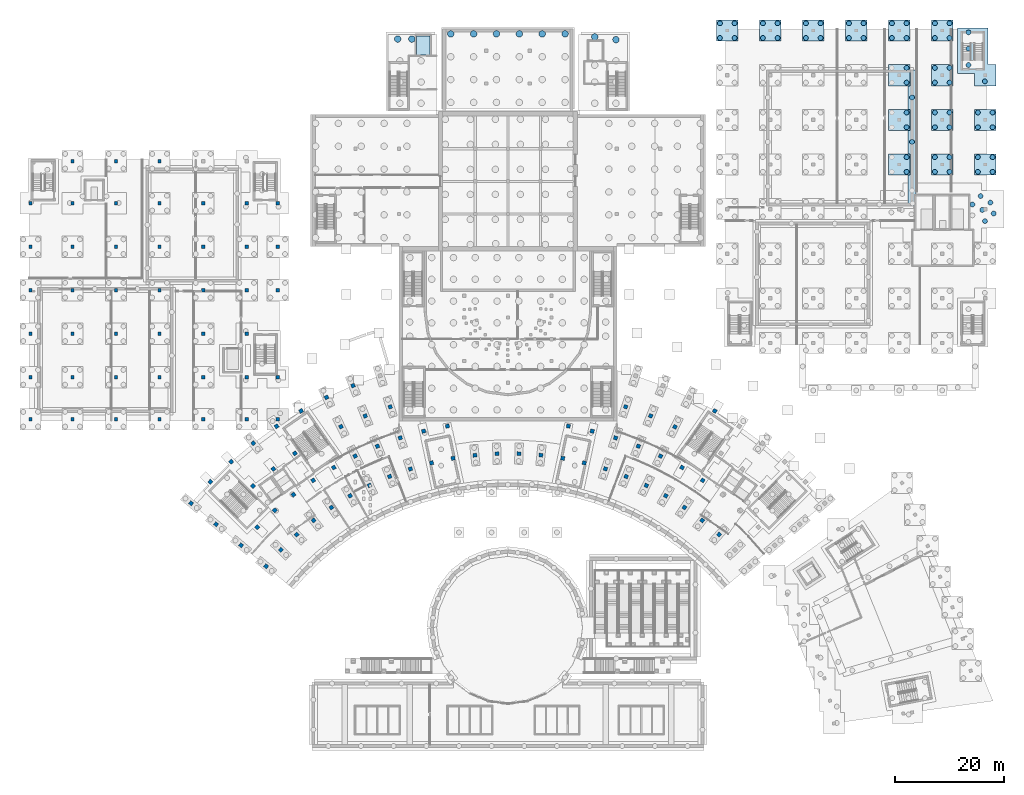
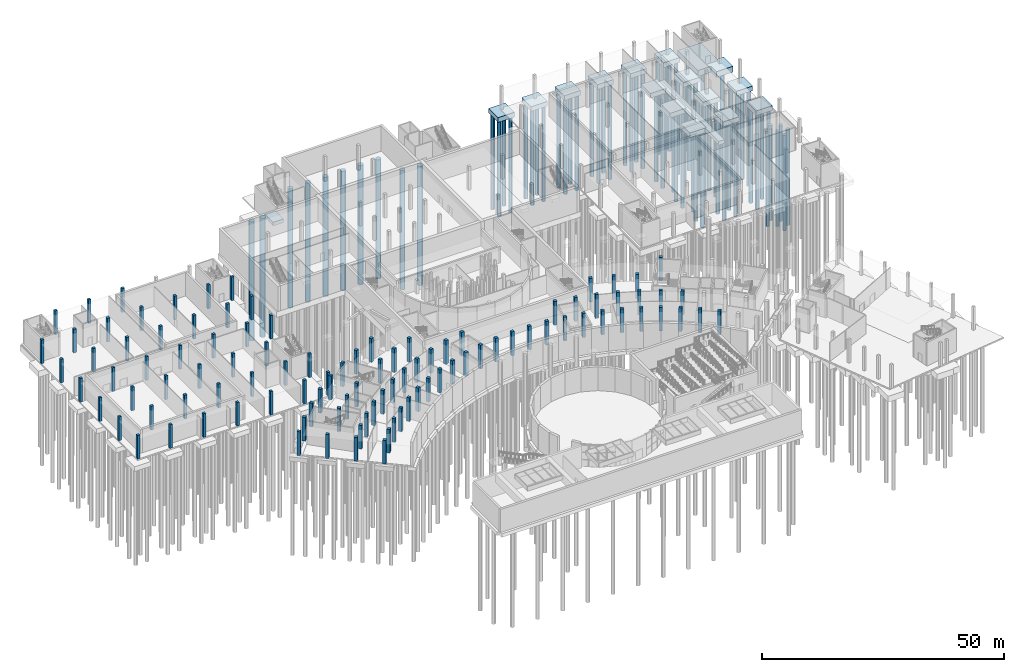
# One storey, part 10 of 66: 105 columns, 72 piles, 17 footings.
"""IFC4 building model written with IfcOpenShell, lengths in metres."""

from ifc_helpers import new_model, si_unit, direction, frame, origin, origin_2d, place, context, subcontext, project, spatial, polyline, rectangle, circle, outline, extrude, material, material_profile, profile_set, type_object, element, save


model = new_model("IFC4")

# Units and contexts
model_context = context("Model", 3, precision=1e-05, world=origin(), true_north=direction((0.0, 1.0)))
body_context = subcontext(model_context, "Body", "Model", "MODEL_VIEW")
ifc_project = project(units=[si_unit("LENGTHUNIT", "METRE"), si_unit("AREAUNIT", "SQUARE_METRE"), si_unit("VOLUMEUNIT", "CUBIC_METRE"), si_unit("PLANEANGLEUNIT", "RADIAN"), si_unit("MASSUNIT", "GRAM", prefix="KILO")], contexts=[model_context])

# Site, building, storey
site_placement = place(None, origin())
site = spatial("IfcSite", under=ifc_project, at=site_placement, CompositionType="ELEMENT")
building_placement = place(site_placement, origin())
building = spatial("IfcBuilding", under=site, at=building_placement, Name="Lunette Opera House", CompositionType="ELEMENT")
storey_placement = place(building_placement, frame((0.0, 0.0, -6.0)))
storey = spatial("IfcBuildingStorey", under=building, at=storey_placement, Name="B1", CompositionType="ELEMENT", Elevation=-6.0)

# Piles
ifc_material_1 = material(Name="Concrete C40/50", Category="concrete")
ifc_material_profile_1 = material_profile(ifc_material_1, circle(Radius=0.60009765625, at=origin_2d()), Name="BORED PILE 1200")
ifc_profile_set_1 = profile_set([ifc_material_profile_1], Name="Concrete C40/50")
pile_type_1 = type_object("IfcPileType", Name="BORED PILE 1200", PredefinedType="BORED", material=ifc_profile_set_1)
for number, where, z_axis, x_axis, name in (
    (1, (85.5, 135.10009765625, -1.60009765625), (0.0, 0.0, -1.0), (1.0, 0.0, 0.0), "pile-ST-R5-04"),
    (2, (89.699951171875, 135.10009765625, -1.60009765625), (0.0, 0.0, -1.0), (1.0, 0.0, 0.0), "pile-ST-R5-08"),
    (3, (93.89990234375, 135.10009765625, -1.60009765625), (0.0, 0.0, -1.0), (1.0, 0.0, 0.0), "pile-ST-R5-12"),
    (4, (98.10009765625, 135.10009765625, -1.60009765625), (0.0, 0.0, -1.0), (1.0, 0.0, 0.0), "pile-ST-R5-16"),
    (5, (102.300048828125, 135.10009765625, -1.60009765625), (0.0, 0.0, -1.0), (1.0, 0.0, 0.0), "pile-ST-R5-20"),
    (6, (106.5, 135.10009765625, -1.60009765625), (0.0, 0.0, -1.0), (1.0, 0.0, 0.0), "pile-ST-R5-24"),
    (7, (75.75, 134.14990234375, -5.89990234375), (0.0, 0.0, -1.0), (1.0, 0.0, 0.0), "pile-ST-RT1-04"),
    (8, (78.35009765625, 134.14990234375, -5.89990234375), (0.0, 0.0, -1.0), (1.0, 0.0, 0.0), "pile-ST-RT1-08"),
    (9, (111.949951171875, 134.550048828125, -5.89990234375), (0.0, 0.0, -1.0), (1.0, 0.0, 0.0), "pile-ST-RT2-04"),
    (10, (115.85009765625, 134.050048828125, -5.89990234375), (0.0, 0.0, -1.0), (1.0, 0.0, 0.0), "pile-ST-RT2-08"),
):
    element("IfcPile", number, at=place(storey_placement, frame(where, z_axis=z_axis, x_axis=x_axis)), inside=storey, type_object=pile_type_1, Name=name, PredefinedType="BORED", context=body_context, shape_type="SweptSolid", body=[
        extrude(circle(Radius=0.60009765625, at=origin_2d()), origin(), (0.0, 0.0, 1.0), 30.10009765625),
    ])
ifc_material_2 = material(Name="Concrete C40/50", Category="concrete")
ifc_material_profile_2 = material_profile(ifc_material_2, circle(Radius=0.449951171875, at=origin_2d()), Name="BORED PILE 900")
ifc_profile_set_2 = profile_set([ifc_material_profile_2], Name="Concrete C40/50")
pile_type_2 = type_object("IfcPileType", Name="BORED PILE 900", PredefinedType="BORED", material=ifc_profile_set_2)
for number, where, z_axis, x_axis, name in (
    (11, (134.949951171875, 134.35009765625, -1.39990234375), (0.0, 0.0, -1.0), (1.0, 0.0, 0.0), "pile-WW-CAP006-1"),
    (12, (137.64990234375, 134.35009765625, -1.39990234375), (0.0, 0.0, -1.0), (1.0, 0.0, 0.0), "pile-WW-CAP006-2"),
    (13, (134.949951171875, 137.050048828125, -1.39990234375), (0.0, 0.0, -1.0), (1.0, 0.0, 0.0), "pile-WW-CAP006-3"),
    (14, (137.64990234375, 137.050048828125, -1.39990234375), (0.0, 0.0, -1.0), (1.0, 0.0, 0.0), "pile-WW-CAP006-4"),
    (15, (142.85009765625, 134.35009765625, -1.39990234375), (0.0, 0.0, -1.0), (1.0, 0.0, 0.0), "pile-WW-CAP014-1"),
    (16, (145.550048828125, 134.35009765625, -1.39990234375), (0.0, 0.0, -1.0), (1.0, 0.0, 0.0), "pile-WW-CAP014-2"),
    (17, (142.85009765625, 137.050048828125, -1.39990234375), (0.0, 0.0, -1.0), (1.0, 0.0, 0.0), "pile-WW-CAP014-3"),
    (18, (145.550048828125, 137.050048828125, -1.39990234375), (0.0, 0.0, -1.0), (1.0, 0.0, 0.0), "pile-WW-CAP014-4"),
    (19, (150.75, 134.35009765625, -1.39990234375), (0.0, 0.0, -1.0), (1.0, 0.0, 0.0), "pile-WW-CAP022-1"),
    (20, (153.449951171875, 134.35009765625, -1.39990234375), (0.0, 0.0, -1.0), (1.0, 0.0, 0.0), "pile-WW-CAP022-2"),
    (21, (150.75, 137.050048828125, -1.39990234375), (0.0, 0.0, -1.0), (1.0, 0.0, 0.0), "pile-WW-CAP022-3"),
    (22, (153.449951171875, 137.050048828125, -1.39990234375), (0.0, 0.0, -1.0), (1.0, 0.0, 0.0), "pile-WW-CAP022-4"),
    (23, (158.64990234375, 134.35009765625, -1.39990234375), (0.0, 0.0, -1.0), (1.0, 0.0, 0.0), "pile-WW-CAP030-1"),
    (24, (161.35009765625, 134.35009765625, -1.39990234375), (0.0, 0.0, -1.0), (1.0, 0.0, 0.0), "pile-WW-CAP030-2"),
    (25, (158.64990234375, 137.050048828125, -1.39990234375), (0.0, 0.0, -1.0), (1.0, 0.0, 0.0), "pile-WW-CAP030-3"),
    (26, (161.35009765625, 137.050048828125, -1.39990234375), (0.0, 0.0, -1.0), (1.0, 0.0, 0.0), "pile-WW-CAP030-4"),
    (27, (169.25, 109.75, -1.39990234375), (0.0, 0.0, -1.0), (1.0, 0.0, 0.0), "pile-WW-CAP034-2"),
    (28, (169.25, 112.449951171875, -1.39990234375), (0.0, 0.0, -1.0), (1.0, 0.0, 0.0), "pile-WW-CAP034-4"),
    (29, (169.25, 117.949951171875, -1.39990234375), (0.0, 0.0, -1.0), (1.0, 0.0, 0.0), "pile-WW-CAP035-2"),
    (30, (169.25, 120.64990234375, -1.39990234375), (0.0, 0.0, -1.0), (1.0, 0.0, 0.0), "pile-WW-CAP035-4"),
    (31, (169.25, 126.14990234375, -1.39990234375), (0.0, 0.0, -1.0), (1.0, 0.0, 0.0), "pile-WW-CAP036-2"),
    (32, (169.25, 128.85009765625, -1.39990234375), (0.0, 0.0, -1.0), (1.0, 0.0, 0.0), "pile-WW-CAP036-4"),
    (33, (166.550048828125, 134.35009765625, -1.39990234375), (0.0, 0.0, -1.0), (1.0, 0.0, 0.0), "pile-WW-CAP037-1"),
    (34, (169.25, 134.35009765625, -1.39990234375), (0.0, 0.0, -1.0), (1.0, 0.0, 0.0), "pile-WW-CAP037-2"),
    (35, (166.550048828125, 137.050048828125, -1.39990234375), (0.0, 0.0, -1.0), (1.0, 0.0, 0.0), "pile-WW-CAP037-3"),
    (36, (169.25, 137.050048828125, -1.39990234375), (0.0, 0.0, -1.0), (1.0, 0.0, 0.0), "pile-WW-CAP037-4"),
    (37, (174.449951171875, 109.75, -1.39990234375), (0.0, 0.0, -1.0), (1.0, 0.0, 0.0), "pile-WW-CAP041-1"),
    (38, (177.14990234375, 109.75, -1.39990234375), (0.0, 0.0, -1.0), (1.0, 0.0, 0.0), "pile-WW-CAP041-2"),
    (39, (174.449951171875, 112.449951171875, -1.39990234375), (0.0, 0.0, -1.0), (1.0, 0.0, 0.0), "pile-WW-CAP041-3"),
    (40, (177.14990234375, 112.449951171875, -1.39990234375), (0.0, 0.0, -1.0), (1.0, 0.0, 0.0), "pile-WW-CAP041-4"),
    (41, (174.449951171875, 117.949951171875, -1.39990234375), (0.0, 0.0, -1.0), (1.0, 0.0, 0.0), "pile-WW-CAP042-1"),
    (42, (177.14990234375, 117.949951171875, -1.39990234375), (0.0, 0.0, -1.0), (1.0, 0.0, 0.0), "pile-WW-CAP042-2"),
    (43, (174.449951171875, 120.64990234375, -1.39990234375), (0.0, 0.0, -1.0), (1.0, 0.0, 0.0), "pile-WW-CAP042-3"),
    (44, (177.14990234375, 120.64990234375, -1.39990234375), (0.0, 0.0, -1.0), (1.0, 0.0, 0.0), "pile-WW-CAP042-4"),
    (45, (174.449951171875, 126.14990234375, -1.39990234375), (0.0, 0.0, -1.0), (1.0, 0.0, 0.0), "pile-WW-CAP043-1"),
    (46, (177.14990234375, 126.14990234375, -1.39990234375), (0.0, 0.0, -1.0), (1.0, 0.0, 0.0), "pile-WW-CAP043-2"),
    (47, (174.449951171875, 128.85009765625, -1.39990234375), (0.0, 0.0, -1.0), (1.0, 0.0, 0.0), "pile-WW-CAP043-3"),
    (48, (177.14990234375, 128.85009765625, -1.39990234375), (0.0, 0.0, -1.0), (1.0, 0.0, 0.0), "pile-WW-CAP043-4"),
    (49, (174.449951171875, 134.35009765625, -1.39990234375), (0.0, 0.0, -1.0), (1.0, 0.0, 0.0), "pile-WW-CAP044-1"),
    (50, (177.14990234375, 134.35009765625, -1.39990234375), (0.0, 0.0, -1.0), (1.0, 0.0, 0.0), "pile-WW-CAP044-2"),
    (51, (174.449951171875, 137.050048828125, -1.39990234375), (0.0, 0.0, -1.0), (1.0, 0.0, 0.0), "pile-WW-CAP044-3"),
    (52, (177.14990234375, 137.050048828125, -1.39990234375), (0.0, 0.0, -1.0), (1.0, 0.0, 0.0), "pile-WW-CAP044-4"),
    (53, (182.35009765625, 109.75, -1.39990234375), (0.0, 0.0, -1.0), (1.0, 0.0, 0.0), "pile-WW-CAP046-1"),
    (54, (185.050048828125, 109.75, -1.39990234375), (0.0, 0.0, -1.0), (1.0, 0.0, 0.0), "pile-WW-CAP046-2"),
    (55, (182.35009765625, 112.449951171875, -1.39990234375), (0.0, 0.0, -1.0), (1.0, 0.0, 0.0), "pile-WW-CAP046-3"),
    (56, (185.050048828125, 112.449951171875, -1.39990234375), (0.0, 0.0, -1.0), (1.0, 0.0, 0.0), "pile-WW-CAP046-4"),
    (57, (182.35009765625, 117.949951171875, -1.39990234375), (0.0, 0.0, -1.0), (1.0, 0.0, 0.0), "pile-WW-CAP047-1"),
    (58, (185.050048828125, 117.949951171875, -1.39990234375), (0.0, 0.0, -1.0), (1.0, 0.0, 0.0), "pile-WW-CAP047-2"),
    (59, (182.35009765625, 120.64990234375, -1.39990234375), (0.0, 0.0, -1.0), (1.0, 0.0, 0.0), "pile-WW-CAP047-3"),
    (60, (185.050048828125, 120.64990234375, -1.39990234375), (0.0, 0.0, -1.0), (1.0, 0.0, 0.0), "pile-WW-CAP047-4"),
    (61, (182.85009765625, 105.300048828125, -1.699951171875), (0.0, 0.0, -1.0), (1.0, 0.0, 0.0), "pile-WW-RAFT01-04"),
    (62, (181.35009765625, 103.75, -1.699951171875), (0.0, 0.0, -1.0), (1.0, 0.0, 0.0), "pile-WW-RAFT01-06"),
    (63, (183.14990234375, 102.75, -1.699951171875), (0.0, 0.0, -1.0), (1.0, 0.0, 0.0), "pile-WW-RAFT01-07"),
    (64, (184.64990234375, 104.10009765625, -1.699951171875), (0.0, 0.0, -1.0), (1.0, 0.0, 0.0), "pile-WW-RAFT01-09"),
    (65, (183.64990234375, 100.699951171875, -1.699951171875), (0.0, 0.0, -1.0), (1.0, 0.0, 0.0), "pile-WW-RAFT01-11"),
    (66, (185.25, 102.10009765625, -1.699951171875), (0.0, 0.0, -1.0), (1.0, 0.0, 0.0), "pile-WW-RAFT01-13"),
    (67, (180.625, 129.375, -1.699951171875), (0.0, 0.0, -1.0), (1.0, 0.0, 0.0), "pile-WW-RAFT02-01"),
    (68, (180.625, 132.375, -1.699951171875), (0.0, 0.0, -1.0), (1.0, 0.0, 0.0), "pile-WW-RAFT02-02"),
    (69, (180.625, 135.375, -1.699951171875), (0.0, 0.0, -1.0), (1.0, 0.0, 0.0), "pile-WW-RAFT02-03"),
    (70, (183.625, 126.375, -1.699951171875), (0.0, 0.0, -1.0), (1.0, 0.0, 0.0), "pile-WW-RAFT02-04"),
    (71, (170.25, 115.25, -1.10009765625), (0.0, 0.0, -1.0), (1.0, 0.0, 0.0), "pile-WW-SFPHE-2"),
    (72, (170.25, 123.4169921875, -1.10009765625), (0.0, 0.0, -1.0), (1.0, 0.0, 0.0), "pile-WW-SFPHE-3"),
):
    element("IfcPile", number, at=place(storey_placement, frame(where, z_axis=z_axis, x_axis=x_axis)), inside=storey, type_object=pile_type_2, Name=name, PredefinedType="BORED", context=body_context, shape_type="SweptSolid", body=[
        extrude(circle(Radius=0.449951171875, at=origin_2d()), origin(), (0.0, 0.0, 1.0), 24.10009765625),
    ])

# Footings
ifc_material_3 = material(Name="Concrete C40/50", Category="concrete")
footing_type_1 = type_object("IfcFootingType", Name="CORE RAFT 1500", PredefinedType="PILE_CAP", material=ifc_material_3)
footing_1_placement = place(storey_placement, frame((0.0, 0.0, -1.800048828125)))
element("IfcFooting", 73, at=footing_1_placement, inside=storey, type_object=footing_type_1, Name="ftg-WW-RAFT02", PredefinedType="PILE_CAP", context=body_context, shape_type="SweptSolid", body=[
    extrude(outline(polyline([(178.60009765625, 136.199951171875), (178.60009765625, 127.800048828125), (181.75, 127.800048828125), (181.75, 125.550048828125), (185.64990234375, 125.550048828125), (185.64990234375, 129.449951171875), (184.199951171875, 129.449951171875), (184.199951171875, 136.199951171875), (178.60009765625, 136.199951171875)])), origin(), (0.0, 0.0, 1.0), 1.5),
])
ifc_material_4 = material(Name="Concrete C35/45", Category="concrete")
footing_type_2 = type_object("IfcFootingType", Name="LIFT PIT FOOTING 900", PredefinedType="PAD_FOOTING", material=ifc_material_4)
footing_2_placement = place(storey_placement, frame((0.0, 0.0, -6.800048828125)))
element("IfcFooting", 74, at=footing_2_placement, inside=storey, type_object=footing_type_2, Name="ftg-ST-LS-S1-PIT", PredefinedType="PAD_FOOTING", context=body_context, shape_type="SweptSolid", body=[
    extrude(outline(polyline([(81.699951171875, 131.25), (81.699951171875, 134.75), (79.199951171875, 134.75), (79.199951171875, 131.25), (81.699951171875, 131.25)])), origin(), (0.0, 0.0, 1.0), 0.900146484375),
])
ifc_material_5 = material(Name="Concrete C35/45", Category="concrete")
footing_type_3 = type_object("IfcFootingType", Name="PILE CAP 3900X3900", PredefinedType="PILE_CAP", material=ifc_material_5)
footing_3_placement = place(storey_placement, frame((0.0, 0.0, -1.5)))
element("IfcFooting", 75, at=footing_3_placement, inside=storey, type_object=footing_type_3, Name="ftg-WW-CAP006", PredefinedType="PILE_CAP", context=body_context, shape_type="SweptSolid", body=[
    extrude(outline(polyline([(138.25, 133.75), (138.25, 137.64990234375), (134.35009765625, 137.64990234375), (134.35009765625, 133.75), (138.25, 133.75)])), origin(), (0.0, 0.0, 1.0), 1.199951171875),
])
footing_4_placement = place(storey_placement, frame((0.0, 0.0, -1.5)))
element("IfcFooting", 76, at=footing_4_placement, inside=storey, type_object=footing_type_3, Name="ftg-WW-CAP014", PredefinedType="PILE_CAP", context=body_context, shape_type="SweptSolid", body=[
    extrude(outline(polyline([(146.14990234375, 133.75), (146.14990234375, 137.64990234375), (142.25, 137.64990234375), (142.25, 133.75), (146.14990234375, 133.75)])), origin(), (0.0, 0.0, 1.0), 1.199951171875),
])
footing_5_placement = place(storey_placement, frame((0.0, 0.0, -1.5)))
element("IfcFooting", 77, at=footing_5_placement, inside=storey, type_object=footing_type_3, Name="ftg-WW-CAP022", PredefinedType="PILE_CAP", context=body_context, shape_type="SweptSolid", body=[
    extrude(outline(polyline([(154.050048828125, 133.75), (154.050048828125, 137.64990234375), (150.14990234375, 137.64990234375), (150.14990234375, 133.75), (154.050048828125, 133.75)])), origin(), (0.0, 0.0, 1.0), 1.199951171875),
])
footing_6_placement = place(storey_placement, frame((0.0, 0.0, -1.5)))
element("IfcFooting", 78, at=footing_6_placement, inside=storey, type_object=footing_type_3, Name="ftg-WW-CAP030", PredefinedType="PILE_CAP", context=body_context, shape_type="SweptSolid", body=[
    extrude(outline(polyline([(161.949951171875, 133.75), (161.949951171875, 137.64990234375), (158.050048828125, 137.64990234375), (158.050048828125, 133.75), (161.949951171875, 133.75)])), origin(), (0.0, 0.0, 1.0), 1.199951171875),
])
footing_7_placement = place(storey_placement, frame((0.0, 0.0, -1.5)))
element("IfcFooting", 79, at=footing_7_placement, inside=storey, type_object=footing_type_3, Name="ftg-WW-CAP034", PredefinedType="PILE_CAP", context=body_context, shape_type="SweptSolid", body=[
    extrude(outline(polyline([(169.85009765625, 109.14990234375), (169.85009765625, 113.050048828125), (165.949951171875, 113.050048828125), (165.949951171875, 109.14990234375), (169.85009765625, 109.14990234375)])), origin(), (0.0, 0.0, 1.0), 1.199951171875),
])
footing_8_placement = place(storey_placement, frame((0.0, 0.0, -1.5)))
element("IfcFooting", 80, at=footing_8_placement, inside=storey, type_object=footing_type_3, Name="ftg-WW-CAP035", PredefinedType="PILE_CAP", context=body_context, shape_type="SweptSolid", body=[
    extrude(outline(polyline([(169.85009765625, 117.35009765625), (169.85009765625, 121.25), (165.949951171875, 121.25), (165.949951171875, 117.35009765625), (169.85009765625, 117.35009765625)])), origin(), (0.0, 0.0, 1.0), 1.199951171875),
])
footing_9_placement = place(storey_placement, frame((0.0, 0.0, -1.5)))
element("IfcFooting", 81, at=footing_9_placement, inside=storey, type_object=footing_type_3, Name="ftg-WW-CAP036", PredefinedType="PILE_CAP", context=body_context, shape_type="SweptSolid", body=[
    extrude(outline(polyline([(169.85009765625, 125.550048828125), (169.85009765625, 129.449951171875), (165.949951171875, 129.449951171875), (165.949951171875, 125.550048828125), (169.85009765625, 125.550048828125)])), origin(), (0.0, 0.0, 1.0), 1.199951171875),
])
footing_10_placement = place(storey_placement, frame((0.0, 0.0, -1.5)))
element("IfcFooting", 82, at=footing_10_placement, inside=storey, type_object=footing_type_3, Name="ftg-WW-CAP037", PredefinedType="PILE_CAP", context=body_context, shape_type="SweptSolid", body=[
    extrude(outline(polyline([(169.85009765625, 133.75), (169.85009765625, 137.64990234375), (165.949951171875, 137.64990234375), (165.949951171875, 133.75), (169.85009765625, 133.75)])), origin(), (0.0, 0.0, 1.0), 1.199951171875),
])
footing_11_placement = place(storey_placement, frame((0.0, 0.0, -1.5)))
element("IfcFooting", 83, at=footing_11_placement, inside=storey, type_object=footing_type_3, Name="ftg-WW-CAP041", PredefinedType="PILE_CAP", context=body_context, shape_type="SweptSolid", body=[
    extrude(outline(polyline([(177.75, 109.14990234375), (177.75, 113.050048828125), (173.85009765625, 113.050048828125), (173.85009765625, 109.14990234375), (177.75, 109.14990234375)])), origin(), (0.0, 0.0, 1.0), 1.199951171875),
])
footing_12_placement = place(storey_placement, frame((0.0, 0.0, -1.5)))
element("IfcFooting", 84, at=footing_12_placement, inside=storey, type_object=footing_type_3, Name="ftg-WW-CAP042", PredefinedType="PILE_CAP", context=body_context, shape_type="SweptSolid", body=[
    extrude(outline(polyline([(177.75, 117.35009765625), (177.75, 121.25), (173.85009765625, 121.25), (173.85009765625, 117.35009765625), (177.75, 117.35009765625)])), origin(), (0.0, 0.0, 1.0), 1.199951171875),
])
footing_13_placement = place(storey_placement, frame((0.0, 0.0, -1.5)))
element("IfcFooting", 85, at=footing_13_placement, inside=storey, type_object=footing_type_3, Name="ftg-WW-CAP043", PredefinedType="PILE_CAP", context=body_context, shape_type="SweptSolid", body=[
    extrude(outline(polyline([(177.75, 125.550048828125), (177.75, 129.449951171875), (173.85009765625, 129.449951171875), (173.85009765625, 125.550048828125), (177.75, 125.550048828125)])), origin(), (0.0, 0.0, 1.0), 1.199951171875),
])
footing_14_placement = place(storey_placement, frame((0.0, 0.0, -1.5)))
element("IfcFooting", 86, at=footing_14_placement, inside=storey, type_object=footing_type_3, Name="ftg-WW-CAP044", PredefinedType="PILE_CAP", context=body_context, shape_type="SweptSolid", body=[
    extrude(outline(polyline([(177.75, 133.75), (177.75, 137.64990234375), (173.85009765625, 137.64990234375), (173.85009765625, 133.75), (177.75, 133.75)])), origin(), (0.0, 0.0, 1.0), 1.199951171875),
])
footing_15_placement = place(storey_placement, frame((0.0, 0.0, -1.5)))
element("IfcFooting", 87, at=footing_15_placement, inside=storey, type_object=footing_type_3, Name="ftg-WW-CAP046", PredefinedType="PILE_CAP", context=body_context, shape_type="SweptSolid", body=[
    extrude(outline(polyline([(185.64990234375, 109.14990234375), (185.64990234375, 113.050048828125), (181.75, 113.050048828125), (181.75, 109.14990234375), (185.64990234375, 109.14990234375)])), origin(), (0.0, 0.0, 1.0), 1.199951171875),
])
footing_16_placement = place(storey_placement, frame((0.0, 0.0, -1.5)))
element("IfcFooting", 88, at=footing_16_placement, inside=storey, type_object=footing_type_3, Name="ftg-WW-CAP047", PredefinedType="PILE_CAP", context=body_context, shape_type="SweptSolid", body=[
    extrude(outline(polyline([(185.64990234375, 117.35009765625), (185.64990234375, 121.25), (181.75, 121.25), (181.75, 117.35009765625), (185.64990234375, 117.35009765625)])), origin(), (0.0, 0.0, 1.0), 1.199951171875),
])
ifc_material_6 = material(Name="Concrete C35/45", Category="concrete")
footing_type_4 = type_object("IfcFootingType", Name="STRIP FOOTING 1800X900", PredefinedType="STRIP_FOOTING", material=ifc_material_6)
footing_17_placement = place(storey_placement, frame((0.0, 0.0, -1.199951171875)))
element("IfcFooting", 89, at=footing_17_placement, inside=storey, type_object=footing_type_4, Name="ftg-WW-SFPHE", PredefinedType="STRIP_FOOTING", context=body_context, shape_type="SweptSolid", body=[
    extrude(outline(polyline([(169.550048828125, 103.5), (170.949951171875, 103.5), (170.949951171875, 128.5), (169.550048828125, 128.5), (169.550048828125, 103.5)])), origin(), (0.0, 0.0, 1.0), 0.89990234375),
])

# Columns
ifc_material_7 = material(Name="Concrete C35/45", Category="concrete")
ifc_material_profile_3 = material_profile(ifc_material_7, rectangle(XDim=0.60009765625, YDim=0.60009765625, at=origin_2d()), Name="RC COLUMN 600X600")
ifc_profile_set_3 = profile_set([ifc_material_profile_3], Name="Concrete C35/45")
column_type_1 = type_object("IfcColumnType", Name="RC COLUMN 600X600", PredefinedType="COLUMN", material=ifc_profile_set_3)
for number, where, z_axis, x_axis, name in (
    (90, (8.300048828125, 64.300048828125, 0.0), (0.0, 0.0, 1.0), (1.0, 0.0, 0.0), "col-RW-B1-C00"),
    (91, (8.300048828125, 72.0, 0.0), (0.0, 0.0, 1.0), (1.0, 0.0, 0.0), "col-RW-B1-C01"),
    (92, (8.300048828125, 80.0, 0.0), (0.0, 0.0, 1.0), (1.0, 0.0, 0.0), "col-RW-B1-C02"),
    (93, (8.300048828125, 88.0, 0.0), (0.0, 0.0, 1.0), (1.0, 0.0, 0.0), "col-RW-B1-C03"),
    (94, (8.300048828125, 96.0, 0.0), (0.0, 0.0, 1.0), (1.0, 0.0, 0.0), "col-RW-B1-C04"),
    (95, (8.300048828125, 104.0, 0.0), (0.0, 0.0, 1.0), (1.0, 0.0, 0.0), "col-RW-B1-C05"),
    (96, (16.0, 64.300048828125, 0.0), (0.0, 0.0, 1.0), (1.0, 0.0, 0.0), "col-RW-B1-C10"),
    (97, (16.0, 72.0, 0.0), (0.0, 0.0, 1.0), (1.0, 0.0, 0.0), "col-RW-B1-C11"),
    (98, (16.0, 80.0, 0.0), (0.0, 0.0, 1.0), (1.0, 0.0, 0.0), "col-RW-B1-C12"),
    (99, (16.0, 88.0, 0.0), (0.0, 0.0, 1.0), (1.0, 0.0, 0.0), "col-RW-B1-C13"),
    (100, (16.0, 96.0, 0.0), (0.0, 0.0, 1.0), (1.0, 0.0, 0.0), "col-RW-B1-C14"),
    (101, (16.0, 104.0, 0.0), (0.0, 0.0, 1.0), (1.0, 0.0, 0.0), "col-RW-B1-C15"),
    (102, (16.0, 111.699951171875, 0.0), (0.0, 0.0, 1.0), (1.0, 0.0, 0.0), "col-RW-B1-C16"),
    (103, (24.0, 64.300048828125, 0.0), (0.0, 0.0, 1.0), (1.0, 0.0, 0.0), "col-RW-B1-C20"),
    (104, (24.0, 72.0, 0.0), (0.0, 0.0, 1.0), (1.0, 0.0, 0.0), "col-RW-B1-C21"),
    (105, (24.0, 80.0, 0.0), (0.0, 0.0, 1.0), (1.0, 0.0, 0.0), "col-RW-B1-C22"),
    (106, (24.0, 88.0, 0.0), (0.0, 0.0, 1.0), (1.0, 0.0, 0.0), "col-RW-B1-C23"),
    (107, (24.0, 96.0, 0.0), (0.0, 0.0, 1.0), (1.0, 0.0, 0.0), "col-RW-B1-C24"),
    (108, (24.0, 104.0, 0.0), (0.0, 0.0, 1.0), (1.0, 0.0, 0.0), "col-RW-B1-C25"),
    (109, (24.0, 111.699951171875, 0.0), (0.0, 0.0, 1.0), (1.0, 0.0, 0.0), "col-RW-B1-C26"),
    (110, (32.0, 64.300048828125, 0.0), (0.0, 0.0, 1.0), (1.0, 0.0, 0.0), "col-RW-B1-C30"),
    (111, (32.0, 72.0, 0.0), (0.0, 0.0, 1.0), (1.0, 0.0, 0.0), "col-RW-B1-C31"),
    (112, (32.0, 80.0, 0.0), (0.0, 0.0, 1.0), (1.0, 0.0, 0.0), "col-RW-B1-C32"),
    (113, (32.0, 88.0, 0.0), (0.0, 0.0, 1.0), (1.0, 0.0, 0.0), "col-RW-B1-C33"),
    (114, (32.0, 96.0, 0.0), (0.0, 0.0, 1.0), (1.0, 0.0, 0.0), "col-RW-B1-C34"),
    (115, (32.0, 104.0, 0.0), (0.0, 0.0, 1.0), (1.0, 0.0, 0.0), "col-RW-B1-C35"),
    (116, (32.0, 111.699951171875, 0.0), (0.0, 0.0, 1.0), (1.0, 0.0, 0.0), "col-RW-B1-C36"),
    (117, (40.0, 64.300048828125, 0.0), (0.0, 0.0, 1.0), (1.0, 0.0, 0.0), "col-RW-B1-C40"),
    (118, (40.0, 72.0, 0.0), (0.0, 0.0, 1.0), (1.0, 0.0, 0.0), "col-RW-B1-C41"),
    (119, (40.0, 80.0, 0.0), (0.0, 0.0, 1.0), (1.0, 0.0, 0.0), "col-RW-B1-C42"),
    (120, (40.0, 88.0, 0.0), (0.0, 0.0, 1.0), (1.0, 0.0, 0.0), "col-RW-B1-C43"),
    (121, (40.0, 96.0, 0.0), (0.0, 0.0, 1.0), (1.0, 0.0, 0.0), "col-RW-B1-C44"),
    (122, (40.0, 104.0, 0.0), (0.0, 0.0, 1.0), (1.0, 0.0, 0.0), "col-RW-B1-C45"),
    (123, (48.0, 64.300048828125, 0.0), (0.0, 0.0, 1.0), (1.0, 0.0, 0.0), "col-RW-B1-C50"),
    (124, (48.0, 72.0, 0.0), (0.0, 0.0, 1.0), (1.0, 0.0, 0.0), "col-RW-B1-C51"),
    (125, (48.0, 80.0, 0.0), (0.0, 0.0, 1.0), (1.0, 0.0, 0.0), "col-RW-B1-C52"),
    (126, (48.0, 88.0, 0.0), (0.0, 0.0, 1.0), (1.0, 0.0, 0.0), "col-RW-B1-C53"),
    (127, (48.0, 96.0, 0.0), (0.0, 0.0, 1.0), (1.0, 0.0, 0.0), "col-RW-B1-C54"),
    (128, (48.0, 104.0, 0.0), (0.0, 0.0, 1.0), (1.0, 0.0, 0.0), "col-RW-B1-C55"),
    (129, (53.699951171875, 64.300048828125, 0.0), (0.0, 0.0, 1.0), (1.0, 0.0, 0.0), "col-RW-B1-C60"),
    (130, (53.699951171875, 72.0, 0.0), (0.0, 0.0, 1.0), (1.0, 0.0, 0.0), "col-RW-B1-C61"),
    (131, (53.699951171875, 88.0, 0.0), (0.0, 0.0, 1.0), (1.0, 0.0, 0.0), "col-RW-B1-C63"),
    (132, (53.699951171875, 96.0, 0.0), (0.0, 0.0, 1.0), (1.0, 0.0, 0.0), "col-RW-B1-C64"),
    (133, (53.699951171875, 104.0, 0.0), (0.0, 0.0, 1.0), (1.0, 0.0, 0.0), "col-RW-B1-C65"),
):
    element("IfcColumn", number, at=place(storey_placement, frame(where, z_axis=z_axis, x_axis=x_axis)), inside=storey, type_object=column_type_1, Name=name, PredefinedType="COLUMN", context=body_context, shape_type="SweptSolid", body=[
        extrude(rectangle(XDim=0.60009765625, YDim=0.60009765625, at=origin_2d()), origin(), (0.0, 0.0, 1.0), 6.0),
    ])
ifc_material_8 = material(Name="Concrete C35/45", Category="concrete")
ifc_material_profile_4 = material_profile(ifc_material_8, rectangle(XDim=0.699951171875, YDim=0.699951171875, at=origin_2d()), Name="RC COLUMN 700X700")
ifc_profile_set_4 = profile_set([ifc_material_profile_4], Name="Concrete C35/45")
column_type_2 = type_object("IfcColumnType", Name="RC COLUMN 700X700", PredefinedType="COLUMN", material=ifc_profile_set_4)
for number, where, z_axis, x_axis, name in (
    (134, (51.569091796875, 37.281982421875, 0.0), (0.0, 0.0, 1.0), (0.642787609687, 0.766044443119, 0.0), "col-FC-B1-AR-M1-RL-01"),
    (135, (54.278076171875, 40.2900390625, 0.0), (0.0, 0.0, 1.0), (0.694658370459, 0.719339800339, 0.0), "col-FC-B1-AR-M1-RL-02"),
    (136, (57.18994140625, 43.10205078125, 0.0), (0.0, 0.0, 1.0), (0.743144825477, 0.669130606359, 0.0), "col-FC-B1-AR-M1-RL-03"),
    (137, (60.2919921875, 45.705078125, 0.0), (0.0, 0.0, 1.0), (0.788010753607, 0.615661475326, 0.0), "col-FC-B1-AR-M1-RL-04"),
    (138, (63.56689453125, 48.083984375, 0.0), (0.0, 0.0, 1.0), (0.829037572555, 0.559192903471, 0.0), "col-FC-B1-AR-M1-RL-05"),
    (139, (67.0, 50.22900390625, 0.0), (0.0, 0.0, 1.0), (0.866025403784, 0.5, 0.0), "col-FC-B1-AR-M1-RL-06"),
    (140, (70.573974609375, 52.1298828125, 0.0), (0.0, 0.0, 1.0), (0.898794046299, 0.438371146789, 0.0), "col-FC-B1-AR-M1-RL-07"),
    (141, (74.27294921875, 53.777099609375, 0.0), (0.0, 0.0, 1.0), (0.927183854567, 0.374606593416, 0.0), "col-FC-B1-AR-M1-RL-08"),
    (142, (78.076904296875, 55.160888671875, 0.0), (0.0, 0.0, 1.0), (0.951056516295, 0.309016994375, 0.0), "col-FC-B1-AR-M1-RL-09"),
    (143, (81.968994140625, 56.277099609375, 0.0), (0.0, 0.0, 1.0), (0.970295726276, 0.2419218956, 0.0), "col-FC-B1-AR-M1-RL-10"),
    (144, (85.927978515625, 57.118896484375, 0.0), (0.0, 0.0, 1.0), (0.984807753012, 0.173648177667, 0.0), "col-FC-B1-AR-M1-RL-11"),
    (145, (89.93701171875, 57.681884765625, 0.0), (0.0, 0.0, 1.0), (0.994521895368, 0.104528463268, 0.0), "col-FC-B1-AR-M1-RL-12"),
    (146, (93.97607421875, 57.965087890625, 0.0), (0.0, 0.0, 1.0), (0.999390827019, 0.034899496703, 0.0), "col-FC-B1-AR-M1-RL-13"),
    (147, (98.02392578125, 57.965087890625, 0.0), (0.0, 0.0, 1.0), (0.999390827019, -0.034899496703, 0.0), "col-FC-B1-AR-M1-RL-14"),
    (148, (102.06298828125, 57.681884765625, 0.0), (0.0, 0.0, 1.0), (0.994521895368, -0.104528463268, 0.0), "col-FC-B1-AR-M1-RL-15"),
    (149, (106.072021484375, 57.118896484375, 0.0), (0.0, 0.0, 1.0), (0.984807753012, -0.173648177667, 0.0), "col-FC-B1-AR-M1-RL-16"),
    (150, (110.031005859375, 56.277099609375, 0.0), (0.0, 0.0, 1.0), (0.970295726276, -0.2419218956, 0.0), "col-FC-B1-AR-M1-RL-17"),
    (151, (113.923095703125, 55.160888671875, 0.0), (0.0, 0.0, 1.0), (0.951056516295, -0.309016994375, 0.0), "col-FC-B1-AR-M1-RL-18"),
    (152, (117.72705078125, 53.777099609375, 0.0), (0.0, 0.0, 1.0), (0.927183854567, -0.374606593416, 0.0), "col-FC-B1-AR-M1-RL-19"),
    (153, (121.426025390625, 52.1298828125, 0.0), (0.0, 0.0, 1.0), (0.898794046299, -0.438371146789, 0.0), "col-FC-B1-AR-M1-RL-20"),
    (154, (125.0, 50.22900390625, 0.0), (0.0, 0.0, 1.0), (0.866025403784, -0.5, 0.0), "col-FC-B1-AR-M1-RL-21"),
    (155, (128.43310546875, 48.083984375, 0.0), (0.0, 0.0, 1.0), (0.829037572555, -0.559192903471, 0.0), "col-FC-B1-AR-M1-RL-22"),
    (156, (131.7080078125, 45.705078125, 0.0), (0.0, 0.0, 1.0), (0.788010753607, -0.615661475326, 0.0), "col-FC-B1-AR-M1-RL-23"),
    (157, (134.81005859375, 43.10205078125, 0.0), (0.0, 0.0, 1.0), (0.743144825477, -0.669130606359, 0.0), "col-FC-B1-AR-M1-RL-24"),
    (158, (46.972900390625, 41.137939453125, 0.0), (0.0, 0.0, 1.0), (0.642787609687, 0.766044443119, 0.0), "col-FC-B1-AR-B-RL-01"),
    (159, (49.9619140625, 44.4580078125, 0.0), (0.0, 0.0, 1.0), (0.694658370459, 0.719339800339, 0.0), "col-FC-B1-AR-B-RL-02"),
    (160, (53.176025390625, 47.56103515625, 0.0), (0.0, 0.0, 1.0), (0.743144825477, 0.669130606359, 0.0), "col-FC-B1-AR-B-RL-03"),
    (161, (56.597900390625, 50.43310546875, 0.0), (0.0, 0.0, 1.0), (0.788010753607, 0.615661475326, 0.0), "col-FC-B1-AR-B-RL-04"),
    (162, (60.2119140625, 53.05810546875, 0.0), (0.0, 0.0, 1.0), (0.829037572555, 0.559192903471, 0.0), "col-FC-B1-AR-B-RL-05"),
    (163, (64.0, 55.426025390625, 0.0), (0.0, 0.0, 1.0), (0.866025403784, 0.5, 0.0), "col-FC-B1-AR-B-RL-06"),
    (164, (67.944091796875, 57.52294921875, 0.0), (0.0, 0.0, 1.0), (0.898794046299, 0.438371146789, 0.0), "col-FC-B1-AR-B-RL-07"),
    (165, (72.02490234375, 59.340087890625, 0.0), (0.0, 0.0, 1.0), (0.927183854567, 0.374606593416, 0.0), "col-FC-B1-AR-B-RL-08"),
    (166, (76.222900390625, 60.867919921875, 0.0), (0.0, 0.0, 1.0), (0.951056516295, 0.309016994375, 0.0), "col-FC-B1-AR-B-RL-09"),
    (167, (80.51708984375, 62.09912109375, 0.0), (0.0, 0.0, 1.0), (0.970295726276, 0.2419218956, 0.0), "col-FC-B1-AR-B-RL-10"),
    (168, (84.886962890625, 63.028076171875, 0.0), (0.0, 0.0, 1.0), (0.984807753012, 0.173648177667, 0.0), "col-FC-B1-AR-B-RL-11"),
    (169, (107.113037109375, 63.028076171875, 0.0), (0.0, 0.0, 1.0), (0.984807753012, -0.173648177667, 0.0), "col-FC-B1-AR-B-RL-16"),
    (170, (111.48291015625, 62.09912109375, 0.0), (0.0, 0.0, 1.0), (0.970295726276, -0.2419218956, 0.0), "col-FC-B1-AR-B-RL-17"),
    (171, (115.777099609375, 60.867919921875, 0.0), (0.0, 0.0, 1.0), (0.951056516295, -0.309016994375, 0.0), "col-FC-B1-AR-B-RL-18"),
    (172, (119.97509765625, 59.340087890625, 0.0), (0.0, 0.0, 1.0), (0.927183854567, -0.374606593416, 0.0), "col-FC-B1-AR-B-RL-19"),
    (173, (124.055908203125, 57.52294921875, 0.0), (0.0, 0.0, 1.0), (0.898794046299, -0.438371146789, 0.0), "col-FC-B1-AR-B-RL-20"),
    (174, (128.0, 55.426025390625, 0.0), (0.0, 0.0, 1.0), (0.866025403784, -0.5, 0.0), "col-FC-B1-AR-B-RL-21"),
    (175, (131.7880859375, 53.05810546875, 0.0), (0.0, 0.0, 1.0), (0.829037572555, -0.559192903471, 0.0), "col-FC-B1-AR-B-RL-22"),
    (176, (42.376953125, 44.9951171875, 0.0), (0.0, 0.0, 1.0), (0.642787609687, 0.766044443119, 0.0), "col-FC-B1-AR-M2-RL-01"),
    (177, (49.160888671875, 52.02001953125, 0.0), (0.0, 0.0, 1.0), (0.743144825477, 0.669130606359, 0.0), "col-FC-B1-AR-M2-RL-03"),
    (178, (52.904052734375, 55.160888671875, 0.0), (0.0, 0.0, 1.0), (0.788010753607, 0.615661475326, 0.0), "col-FC-B1-AR-M2-RL-04"),
    (179, (56.85595703125, 58.032958984375, 0.0), (0.0, 0.0, 1.0), (0.829037572555, 0.559192903471, 0.0), "col-FC-B1-AR-M2-RL-05"),
    (180, (65.31396484375, 62.916015625, 0.0), (0.0, 0.0, 1.0), (0.898794046299, 0.438371146789, 0.0), "col-FC-B1-AR-M2-RL-07"),
    (181, (69.778076171875, 64.903076171875, 0.0), (0.0, 0.0, 1.0), (0.927183854567, 0.374606593416, 0.0), "col-FC-B1-AR-M2-RL-08"),
    (182, (74.368896484375, 66.573974609375, 0.0), (0.0, 0.0, 1.0), (0.951056516295, 0.309016994375, 0.0), "col-FC-B1-AR-M2-RL-09"),
    (183, (117.631103515625, 66.573974609375, 0.0), (0.0, 0.0, 1.0), (0.951056516295, -0.309016994375, 0.0), "col-FC-B1-AR-M2-RL-18"),
    (184, (122.221923828125, 64.903076171875, 0.0), (0.0, 0.0, 1.0), (0.927183854567, -0.374606593416, 0.0), "col-FC-B1-AR-M2-RL-19"),
    (185, (126.68603515625, 62.916015625, 0.0), (0.0, 0.0, 1.0), (0.898794046299, -0.438371146789, 0.0), "col-FC-B1-AR-M2-RL-20"),
    (186, (37.781005859375, 48.85205078125, 0.0), (0.0, 0.0, 1.0), (0.642787609687, 0.766044443119, 0.0), "col-FC-B1-AR-C-RL-01"),
    (187, (41.330078125, 52.7939453125, 0.0), (0.0, 0.0, 1.0), (0.694658370459, 0.719339800339, 0.0), "col-FC-B1-AR-C-RL-02"),
    (188, (45.14599609375, 56.47900390625, 0.0), (0.0, 0.0, 1.0), (0.743144825477, 0.669130606359, 0.0), "col-FC-B1-AR-C-RL-03"),
    (189, (49.2099609375, 59.888916015625, 0.0), (0.0, 0.0, 1.0), (0.788010753607, 0.615661475326, 0.0), "col-FC-B1-AR-C-RL-04"),
    (190, (53.5009765625, 63.007080078125, 0.0), (0.0, 0.0, 1.0), (0.829037572555, 0.559192903471, 0.0), "col-FC-B1-AR-C-RL-05"),
    (191, (58.0, 65.818115234375, 0.0), (0.0, 0.0, 1.0), (0.866025403784, 0.5, 0.0), "col-FC-B1-AR-C-RL-06"),
    (192, (62.68408203125, 68.30810546875, 0.0), (0.0, 0.0, 1.0), (0.898794046299, 0.438371146789, 0.0), "col-FC-B1-AR-C-RL-07"),
    (193, (67.530029296875, 70.466064453125, 0.0), (0.0, 0.0, 1.0), (0.927183854567, 0.374606593416, 0.0), "col-FC-B1-AR-C-RL-08"),
    (194, (134.0, 65.818115234375, 0.0), (0.0, 0.0, 1.0), (0.866025403784, -0.5, 0.0), "col-FC-B1-AR-C-RL-21"),
):
    element("IfcColumn", number, at=place(storey_placement, frame(where, z_axis=z_axis, x_axis=x_axis)), inside=storey, type_object=column_type_2, Name=name, PredefinedType="COLUMN", context=body_context, shape_type="SweptSolid", body=[
        extrude(rectangle(XDim=0.699951171875, YDim=0.699951171875, at=origin_2d()), origin(), (0.0, 0.0, 1.0), 6.0),
    ])

save(model, "model.ifc")
